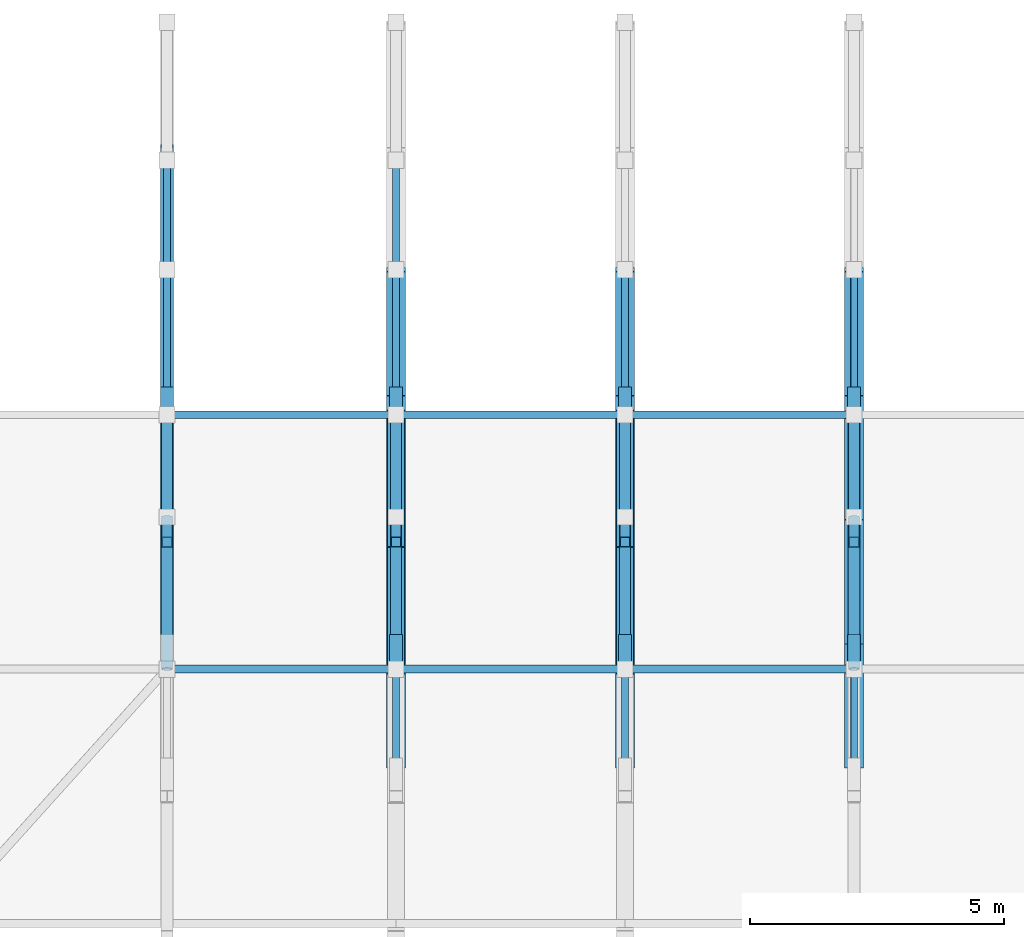
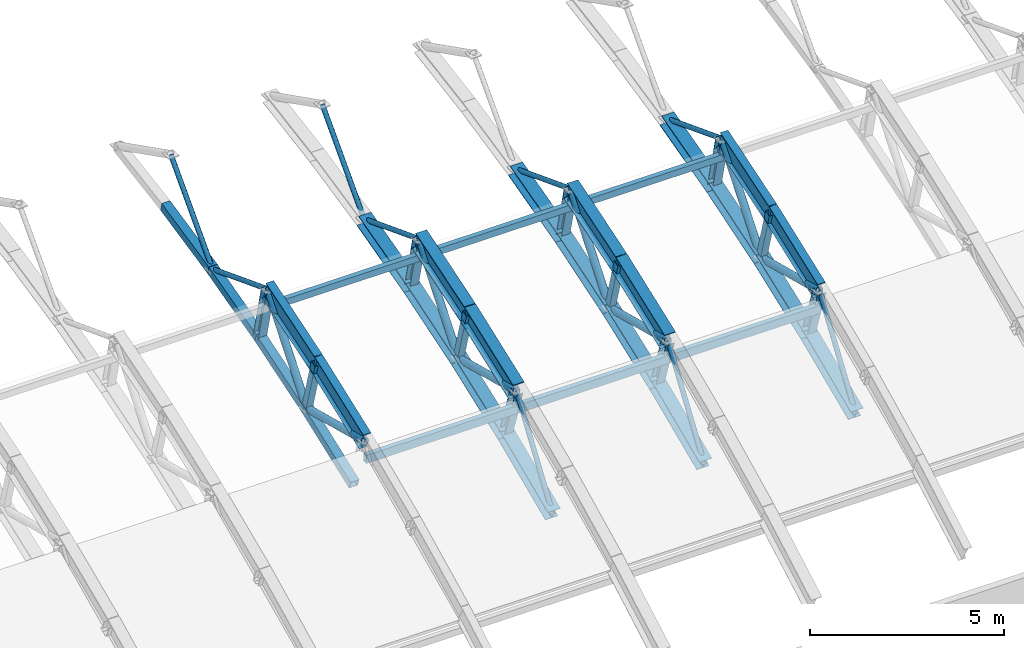
# One storey, part 40 of 103: 50 members, 8 beams.
"""IFC4 building model written with IfcOpenShell, lengths in metres."""

from ifc_helpers import new_model, si_unit, direction, frame, origin, origin_2d, place, context, subcontext, project, spatial, hollow_rectangle, hollow_circle, i_section, extrude, material, material_profile, profile_set, type_object, element, save


model = new_model("IFC4")

# Units and contexts
model_context = context("Model", 3, precision=1e-05, world=origin(), true_north=direction((0.0, 1.0)))
body_context = subcontext(model_context, "Body", "Model", "MODEL_VIEW")
ifc_project = project(units=[si_unit("LENGTHUNIT", "METRE"), si_unit("AREAUNIT", "SQUARE_METRE"), si_unit("VOLUMEUNIT", "CUBIC_METRE"), si_unit("PLANEANGLEUNIT", "RADIAN"), si_unit("MASSUNIT", "GRAM", prefix="KILO")], contexts=[model_context])

# Site, building, storey
site_placement = place(None, origin())
site = spatial("IfcSite", under=ifc_project, at=site_placement, CompositionType="ELEMENT")
building_placement = place(site_placement, origin())
building = spatial("IfcBuilding", under=site, at=building_placement, Name="Cazmaro Siding Exhibition Halls", CompositionType="ELEMENT")
storey_placement = place(building_placement, frame((0.0, 0.0, 16.5)))
storey = spatial("IfcBuildingStorey", under=building, at=storey_placement, Name="L03", CompositionType="ELEMENT", Elevation=16.5)

# Beams
ifc_material_1 = material(Name="Steel ASTM A992 Grade 50", Category="steel")
ifc_material_profile_1 = material_profile(ifc_material_1, i_section(OverallWidth=0.327880859375, OverallDepth=0.626953125, WebThickness=0.01708984375, FlangeThickness=0.028076171875, at=origin_2d()), Name="W24X146")
ifc_profile_set_1 = profile_set([ifc_material_profile_1], Name="Steel ASTM A992 Grade 50")
beam_type_1 = type_object("IfcBeamType", Name="AR-01", PredefinedType="USERDEFINED", material=ifc_profile_set_1)
beam_1_placement = place(storey_placement, frame((85.5, 74.0, 3.1220703125), z_axis=(0.0, 0.936509460339, 0.350642311615), x_axis=(-1.0, 0.0, 0.0)))
element("IfcBeam", 1, at=beam_1_placement, inside=storey, type_object=beam_type_1, Name="Space frame barrel vault arched rib AR-01 BM-0755", ObjectType="ARCHED RIB", PredefinedType="USERDEFINED", context=body_context, shape_type="SweptSolid", body=[
    extrude(i_section(OverallWidth=0.327880859375, OverallDepth=0.626953125, WebThickness=0.01708984375, FlangeThickness=0.028076171875, at=origin_2d()), origin(), (0.0, 0.0, 1.0), 2.66943359375),
])
beam_2_placement = place(storey_placement, frame((85.5, 76.5, 4.05810546875), z_axis=(0.0, 0.952769241759, 0.303695195811), x_axis=(-1.0, 0.0, 0.0)))
element("IfcBeam", 2, at=beam_2_placement, inside=storey, type_object=beam_type_1, Name="Space frame barrel vault arched rib AR-01 BM-0756", ObjectType="ARCHED RIB", PredefinedType="USERDEFINED", context=body_context, shape_type="SweptSolid", body=[
    extrude(i_section(OverallWidth=0.327880859375, OverallDepth=0.626953125, WebThickness=0.01708984375, FlangeThickness=0.028076171875, at=origin_2d()), origin(), (0.0, 0.0, 1.0), 2.6240234375),
])
ifc_material_2 = material(Name="Steel ASTM A992 Grade 50", Category="steel")
ifc_material_profile_2 = material_profile(ifc_material_2, i_section(OverallWidth=0.324951171875, OverallDepth=0.612060546875, WebThickness=0.012939453125, FlangeThickness=0.01904296875, at=origin_2d()), Name="W24X104")
ifc_profile_set_2 = profile_set([ifc_material_profile_2], Name="Steel ASTM A992 Grade 50")
beam_type_2 = type_object("IfcBeamType", Name="AR-02", PredefinedType="USERDEFINED", material=ifc_profile_set_2)
beam_3_placement = place(storey_placement, frame((90.0, 74.0, 3.1220703125), z_axis=(0.0, 0.936509460339, 0.350642311615), x_axis=(-1.0, 0.0, 0.0)))
element("IfcBeam", 3, at=beam_3_placement, inside=storey, type_object=beam_type_2, Name="Space frame barrel vault arched rib AR-02 BM-0779", ObjectType="ARCHED RIB", PredefinedType="USERDEFINED", context=body_context, shape_type="SweptSolid", body=[
    extrude(i_section(OverallWidth=0.324951171875, OverallDepth=0.612060546875, WebThickness=0.012939453125, FlangeThickness=0.01904296875, at=origin_2d()), origin(), (0.0, 0.0, 1.0), 2.66943359375),
])
beam_4_placement = place(storey_placement, frame((90.0, 76.5, 4.05810546875), z_axis=(0.0, 0.952769241759, 0.303695195811), x_axis=(-1.0, 0.0, 0.0)))
element("IfcBeam", 4, at=beam_4_placement, inside=storey, type_object=beam_type_2, Name="Space frame barrel vault arched rib AR-02 BM-0780", ObjectType="ARCHED RIB", PredefinedType="USERDEFINED", context=body_context, shape_type="SweptSolid", body=[
    extrude(i_section(OverallWidth=0.324951171875, OverallDepth=0.612060546875, WebThickness=0.012939453125, FlangeThickness=0.01904296875, at=origin_2d()), origin(), (0.0, 0.0, 1.0), 2.6240234375),
])
ifc_material_3 = material(Name="Steel ASTM A992 Grade 50", Category="steel")
ifc_material_profile_3 = material_profile(ifc_material_3, i_section(OverallWidth=0.22900390625, OverallDepth=0.612060546875, WebThickness=0.011962890625, FlangeThickness=0.02001953125, at=origin_2d()), Name="W24X84")
ifc_profile_set_3 = profile_set([ifc_material_profile_3], Name="Steel ASTM A992 Grade 50")
beam_type_3 = type_object("IfcBeamType", Name="AR-03", PredefinedType="USERDEFINED", material=ifc_profile_set_3)
beam_5_placement = place(storey_placement, frame((81.0, 74.0, 3.1220703125), z_axis=(0.0, 0.936509460339, 0.350642311615), x_axis=(-1.0, 0.0, 0.0)))
element("IfcBeam", 5, at=beam_5_placement, inside=storey, type_object=beam_type_3, Name="Space frame barrel vault arched rib AR-03 BM-0731", ObjectType="ARCHED RIB", PredefinedType="USERDEFINED", context=body_context, shape_type="SweptSolid", body=[
    extrude(i_section(OverallWidth=0.22900390625, OverallDepth=0.612060546875, WebThickness=0.011962890625, FlangeThickness=0.02001953125, at=origin_2d()), origin(), (0.0, 0.0, 1.0), 2.66943359375),
])
beam_6_placement = place(storey_placement, frame((81.0, 76.5, 4.05810546875), z_axis=(0.0, 0.952769241759, 0.303695195811), x_axis=(-1.0, 0.0, 0.0)))
element("IfcBeam", 6, at=beam_6_placement, inside=storey, type_object=beam_type_3, Name="Space frame barrel vault arched rib AR-03 BM-0732", ObjectType="ARCHED RIB", PredefinedType="USERDEFINED", context=body_context, shape_type="SweptSolid", body=[
    extrude(i_section(OverallWidth=0.22900390625, OverallDepth=0.612060546875, WebThickness=0.011962890625, FlangeThickness=0.02001953125, at=origin_2d()), origin(), (0.0, 0.0, 1.0), 2.6240234375),
])
beam_7_placement = place(storey_placement, frame((94.5, 74.0, 3.1220703125), z_axis=(0.0, 0.936509460339, 0.350642311615), x_axis=(-1.0, 0.0, 0.0)))
element("IfcBeam", 7, at=beam_7_placement, inside=storey, type_object=beam_type_3, Name="Space frame barrel vault arched rib AR-03 BM-0803", ObjectType="ARCHED RIB", PredefinedType="USERDEFINED", context=body_context, shape_type="SweptSolid", body=[
    extrude(i_section(OverallWidth=0.22900390625, OverallDepth=0.612060546875, WebThickness=0.011962890625, FlangeThickness=0.02001953125, at=origin_2d()), origin(), (0.0, 0.0, 1.0), 2.66943359375),
])
beam_8_placement = place(storey_placement, frame((94.5, 76.5, 4.05810546875), z_axis=(0.0, 0.952769241759, 0.303695195811), x_axis=(-1.0, 0.0, 0.0)))
element("IfcBeam", 8, at=beam_8_placement, inside=storey, type_object=beam_type_3, Name="Space frame barrel vault arched rib AR-03 BM-0804", ObjectType="ARCHED RIB", PredefinedType="USERDEFINED", context=body_context, shape_type="SweptSolid", body=[
    extrude(i_section(OverallWidth=0.22900390625, OverallDepth=0.612060546875, WebThickness=0.011962890625, FlangeThickness=0.02001953125, at=origin_2d()), origin(), (0.0, 0.0, 1.0), 2.6240234375),
])

# Members
ifc_material_4 = material(Name="Steel ASTM A500 Grade C", Category="steel")
ifc_material_profile_4 = material_profile(ifc_material_4, hollow_rectangle(XDim=0.152099609375, YDim=0.202880859375, WallThickness=0.011962890625, at=origin_2d()), Name="HSS8X6X1/2")
ifc_profile_set_4 = profile_set([ifc_material_profile_4], Name="Steel ASTM A500 Grade C")
member_type_1 = type_object("IfcMemberType", Name="RP-01", PredefinedType="PURLIN", material=ifc_profile_set_4)
for number, where, z_axis, x_axis, name in (
    (9, (81.0, 79.0, 4.31494140625), (1.0, 0.0, 0.0), (0.0, 1.0, 0.0), "Space frame barrel vault purlin RP-01 MEM-2066"),
    (10, (85.5, 79.0, 4.31494140625), (1.0, 0.0, 0.0), (0.0, 1.0, 0.0), "Space frame barrel vault purlin RP-01 MEM-2077"),
    (11, (90.0, 79.0, 4.31494140625), (1.0, 0.0, 0.0), (0.0, 1.0, 0.0), "Space frame barrel vault purlin RP-01 MEM-2088"),
):
    element("IfcMember", number, at=place(storey_placement, frame(where, z_axis=z_axis, x_axis=x_axis)), inside=storey, type_object=member_type_1, Name=name, PredefinedType="PURLIN", context=body_context, shape_type="SweptSolid", body=[
        extrude(hollow_rectangle(XDim=0.152099609375, YDim=0.202880859375, WallThickness=0.011962890625, at=origin_2d()), origin(), (0.0, 0.0, 1.0), 4.5),
    ])
ifc_material_5 = material(Name="Steel ASTM A500 Grade C", Category="steel")
ifc_material_profile_5 = material_profile(ifc_material_5, hollow_rectangle(XDim=0.152099609375, YDim=0.25390625, WallThickness=0.011962890625, at=origin_2d()), Name="HSS10X6X1/2")
ifc_profile_set_5 = profile_set([ifc_material_profile_5], Name="Steel ASTM A500 Grade C")
member_type_2 = type_object("IfcMemberType", Name="RP-04", PredefinedType="PURLIN", material=ifc_profile_set_5)
for number, where, z_axis, x_axis, name in (
    (12, (81.0, 74.0, 2.58203125), (1.0, 0.0, 0.0), (0.0, 1.0, 0.0), "Space frame barrel vault purlin RP-04 MEM-2065"),
    (13, (85.5, 74.0, 2.58203125), (1.0, 0.0, 0.0), (0.0, 1.0, 0.0), "Space frame barrel vault purlin RP-04 MEM-2076"),
    (14, (90.0, 74.0, 2.58203125), (1.0, 0.0, 0.0), (0.0, 1.0, 0.0), "Space frame barrel vault purlin RP-04 MEM-2087"),
):
    element("IfcMember", number, at=place(storey_placement, frame(where, z_axis=z_axis, x_axis=x_axis)), inside=storey, type_object=member_type_2, Name=name, PredefinedType="PURLIN", context=body_context, shape_type="SweptSolid", body=[
        extrude(hollow_rectangle(XDim=0.152099609375, YDim=0.25390625, WallThickness=0.011962890625, at=origin_2d()), origin(), (0.0, 0.0, 1.0), 4.5),
    ])
ifc_material_6 = material(Name="Steel ASTM A500 Grade C", Category="steel")
ifc_material_profile_6 = material_profile(ifc_material_6, hollow_rectangle(XDim=0.25390625, YDim=0.25390625, WallThickness=0.014892578125, at=origin_2d()), Name="HSS10X10X5/8")
ifc_profile_set_6 = profile_set([ifc_material_profile_6], Name="Steel ASTM A500 Grade C")
member_type_3 = type_object("IfcMemberType", Name="TC-01", PredefinedType="CHORD", material=ifc_profile_set_6)
member_1_placement = place(storey_placement, frame((81.0, 74.56103515625, 1.430908203125), z_axis=(0.0, 0.936588022869, 0.350432412053), x_axis=(-1.0, 0.0, 0.0)))
element("IfcMember", 15, at=member_1_placement, inside=storey, type_object=member_type_3, Name="Space frame barrel vault bottom chord TC-01 MEM-0529", PredefinedType="CHORD", context=body_context, shape_type="SweptSolid", body=[
    extrude(hollow_rectangle(XDim=0.25390625, YDim=0.25390625, WallThickness=0.014892578125, at=origin_2d()), origin(), (0.0, 0.0, 1.0), 2.594482421875),
])
member_2_placement = place(storey_placement, frame((81.0, 76.990966796875, 2.340087890625), z_axis=(0.0, 0.952692842525, 0.303934775573), x_axis=(-1.0, 0.0, 0.0)))
element("IfcMember", 16, at=member_2_placement, inside=storey, type_object=member_type_3, Name="Space frame barrel vault bottom chord TC-01 MEM-0531", PredefinedType="CHORD", context=body_context, shape_type="SweptSolid", body=[
    extrude(hollow_rectangle(XDim=0.25390625, YDim=0.25390625, WallThickness=0.014892578125, at=origin_2d()), origin(), (0.0, 0.0, 1.0), 2.549560546875),
])
member_3_placement = place(storey_placement, frame((81.0, 79.419921875, 3.114990234375), z_axis=(0.0, 0.966437683387, 0.256901156343), x_axis=(-1.0, 0.0, 0.0)))
element("IfcMember", 17, at=member_3_placement, inside=storey, type_object=member_type_3, Name="Space frame barrel vault bottom chord TC-01 MEM-0533", PredefinedType="CHORD", context=body_context, shape_type="SweptSolid", body=[
    extrude(hollow_rectangle(XDim=0.25390625, YDim=0.25390625, WallThickness=0.014892578125, at=origin_2d()), origin(), (0.0, 0.0, 1.0), 2.5146484375),
])
member_4_placement = place(storey_placement, frame((81.0, 81.85009765625, 3.760986328125), z_axis=(0.0, 0.977697351532, 0.210018782033), x_axis=(-1.0, 0.0, 0.0)))
element("IfcMember", 18, at=member_4_placement, inside=storey, type_object=member_type_3, Name="Space frame barrel vault bottom chord TC-01 MEM-0535", PredefinedType="CHORD", context=body_context, shape_type="SweptSolid", body=[
    extrude(hollow_rectangle(XDim=0.25390625, YDim=0.25390625, WallThickness=0.014892578125, at=origin_2d()), origin(), (0.0, 0.0, 1.0), 2.4853515625),
])
ifc_material_7 = material(Name="Steel ASTM A992 Grade 50", Category="steel")
ifc_material_profile_7 = material_profile(ifc_material_7, i_section(OverallWidth=0.37109375, OverallDepth=0.364013671875, WebThickness=0.012939453125, FlangeThickness=0.02197265625, at=origin_2d()), Name="W14X109")
ifc_profile_set_7 = profile_set([ifc_material_profile_7], Name="Steel ASTM A992 Grade 50")
member_type_4 = type_object("IfcMemberType", Name="TC-06", PredefinedType="CHORD", material=ifc_profile_set_7)
member_5_placement = place(storey_placement, frame((85.5, 72.131103515625, 0.37890625), z_axis=(0.0, 0.917689003843, 0.397299499403), x_axis=(-1.0, 0.0, 0.0)))
element("IfcMember", 19, at=member_5_placement, inside=storey, type_object=member_type_4, Name="Space frame barrel vault bottom chord TC-06 MEM-0598", PredefinedType="CHORD", context=body_context, shape_type="SweptSolid", body=[
    extrude(i_section(OverallWidth=0.37109375, OverallDepth=0.364013671875, WebThickness=0.012939453125, FlangeThickness=0.02197265625, at=origin_2d()), origin(), (0.0, 0.0, 1.0), 2.64794921875),
])
member_6_placement = place(storey_placement, frame((85.5, 74.56103515625, 1.430908203125), z_axis=(0.0, 0.936588022869, 0.350432412053), x_axis=(-1.0, 0.0, 0.0)))
element("IfcMember", 20, at=member_6_placement, inside=storey, type_object=member_type_4, Name="Space frame barrel vault bottom chord TC-06 MEM-0600", PredefinedType="CHORD", context=body_context, shape_type="SweptSolid", body=[
    extrude(i_section(OverallWidth=0.37109375, OverallDepth=0.364013671875, WebThickness=0.012939453125, FlangeThickness=0.02197265625, at=origin_2d()), origin(), (0.0, 0.0, 1.0), 2.594482421875),
])
member_7_placement = place(storey_placement, frame((85.5, 76.990966796875, 2.340087890625), z_axis=(0.0, 0.952692842525, 0.303934775573), x_axis=(-1.0, 0.0, 0.0)))
element("IfcMember", 21, at=member_7_placement, inside=storey, type_object=member_type_4, Name="Space frame barrel vault bottom chord TC-06 MEM-0602", PredefinedType="CHORD", context=body_context, shape_type="SweptSolid", body=[
    extrude(i_section(OverallWidth=0.37109375, OverallDepth=0.364013671875, WebThickness=0.012939453125, FlangeThickness=0.02197265625, at=origin_2d()), origin(), (0.0, 0.0, 1.0), 2.549560546875),
])
member_8_placement = place(storey_placement, frame((85.5, 79.419921875, 3.114990234375), z_axis=(0.0, 0.966437683387, 0.256901156343), x_axis=(-1.0, 0.0, 0.0)))
element("IfcMember", 22, at=member_8_placement, inside=storey, type_object=member_type_4, Name="Space frame barrel vault bottom chord TC-06 MEM-0604", PredefinedType="CHORD", context=body_context, shape_type="SweptSolid", body=[
    extrude(i_section(OverallWidth=0.37109375, OverallDepth=0.364013671875, WebThickness=0.012939453125, FlangeThickness=0.02197265625, at=origin_2d()), origin(), (0.0, 0.0, 1.0), 2.5146484375),
])
member_9_placement = place(storey_placement, frame((90.0, 72.131103515625, 0.37890625), z_axis=(0.0, 0.917689003843, 0.397299499403), x_axis=(-1.0, 0.0, 0.0)))
element("IfcMember", 23, at=member_9_placement, inside=storey, type_object=member_type_4, Name="Space frame barrel vault bottom chord TC-06 MEM-0669", PredefinedType="CHORD", context=body_context, shape_type="SweptSolid", body=[
    extrude(i_section(OverallWidth=0.37109375, OverallDepth=0.364013671875, WebThickness=0.012939453125, FlangeThickness=0.02197265625, at=origin_2d()), origin(), (0.0, 0.0, 1.0), 2.64794921875),
])
member_10_placement = place(storey_placement, frame((90.0, 74.56103515625, 1.430908203125), z_axis=(0.0, 0.936588022869, 0.350432412053), x_axis=(-1.0, 0.0, 0.0)))
element("IfcMember", 24, at=member_10_placement, inside=storey, type_object=member_type_4, Name="Space frame barrel vault bottom chord TC-06 MEM-0671", PredefinedType="CHORD", context=body_context, shape_type="SweptSolid", body=[
    extrude(i_section(OverallWidth=0.37109375, OverallDepth=0.364013671875, WebThickness=0.012939453125, FlangeThickness=0.02197265625, at=origin_2d()), origin(), (0.0, 0.0, 1.0), 2.594482421875),
])
member_11_placement = place(storey_placement, frame((90.0, 76.990966796875, 2.340087890625), z_axis=(0.0, 0.952692842525, 0.303934775573), x_axis=(-1.0, 0.0, 0.0)))
element("IfcMember", 25, at=member_11_placement, inside=storey, type_object=member_type_4, Name="Space frame barrel vault bottom chord TC-06 MEM-0673", PredefinedType="CHORD", context=body_context, shape_type="SweptSolid", body=[
    extrude(i_section(OverallWidth=0.37109375, OverallDepth=0.364013671875, WebThickness=0.012939453125, FlangeThickness=0.02197265625, at=origin_2d()), origin(), (0.0, 0.0, 1.0), 2.549560546875),
])
member_12_placement = place(storey_placement, frame((90.0, 79.419921875, 3.114990234375), z_axis=(0.0, 0.966437683387, 0.256901156343), x_axis=(-1.0, 0.0, 0.0)))
element("IfcMember", 26, at=member_12_placement, inside=storey, type_object=member_type_4, Name="Space frame barrel vault bottom chord TC-06 MEM-0675", PredefinedType="CHORD", context=body_context, shape_type="SweptSolid", body=[
    extrude(i_section(OverallWidth=0.37109375, OverallDepth=0.364013671875, WebThickness=0.012939453125, FlangeThickness=0.02197265625, at=origin_2d()), origin(), (0.0, 0.0, 1.0), 2.5146484375),
])
member_13_placement = place(storey_placement, frame((94.5, 72.131103515625, 0.37890625), z_axis=(0.0, 0.917689003843, 0.397299499403), x_axis=(-1.0, 0.0, 0.0)))
element("IfcMember", 27, at=member_13_placement, inside=storey, type_object=member_type_4, Name="Space frame barrel vault bottom chord TC-06 MEM-0740", PredefinedType="CHORD", context=body_context, shape_type="SweptSolid", body=[
    extrude(i_section(OverallWidth=0.37109375, OverallDepth=0.364013671875, WebThickness=0.012939453125, FlangeThickness=0.02197265625, at=origin_2d()), origin(), (0.0, 0.0, 1.0), 2.64794921875),
])
member_14_placement = place(storey_placement, frame((94.5, 74.56103515625, 1.430908203125), z_axis=(0.0, 0.936588022869, 0.350432412053), x_axis=(-1.0, 0.0, 0.0)))
element("IfcMember", 28, at=member_14_placement, inside=storey, type_object=member_type_4, Name="Space frame barrel vault bottom chord TC-06 MEM-0742", PredefinedType="CHORD", context=body_context, shape_type="SweptSolid", body=[
    extrude(i_section(OverallWidth=0.37109375, OverallDepth=0.364013671875, WebThickness=0.012939453125, FlangeThickness=0.02197265625, at=origin_2d()), origin(), (0.0, 0.0, 1.0), 2.594482421875),
])
member_15_placement = place(storey_placement, frame((94.5, 76.990966796875, 2.340087890625), z_axis=(0.0, 0.952692842525, 0.303934775573), x_axis=(-1.0, 0.0, 0.0)))
element("IfcMember", 29, at=member_15_placement, inside=storey, type_object=member_type_4, Name="Space frame barrel vault bottom chord TC-06 MEM-0744", PredefinedType="CHORD", context=body_context, shape_type="SweptSolid", body=[
    extrude(i_section(OverallWidth=0.37109375, OverallDepth=0.364013671875, WebThickness=0.012939453125, FlangeThickness=0.02197265625, at=origin_2d()), origin(), (0.0, 0.0, 1.0), 2.549560546875),
])
member_16_placement = place(storey_placement, frame((94.5, 79.419921875, 3.114990234375), z_axis=(0.0, 0.966437683387, 0.256901156343), x_axis=(-1.0, 0.0, 0.0)))
element("IfcMember", 30, at=member_16_placement, inside=storey, type_object=member_type_4, Name="Space frame barrel vault bottom chord TC-06 MEM-0746", PredefinedType="CHORD", context=body_context, shape_type="SweptSolid", body=[
    extrude(i_section(OverallWidth=0.37109375, OverallDepth=0.364013671875, WebThickness=0.012939453125, FlangeThickness=0.02197265625, at=origin_2d()), origin(), (0.0, 0.0, 1.0), 2.5146484375),
])
ifc_material_8 = material(Name="Steel ASTM A500 Grade C", Category="steel")
ifc_material_profile_8 = material_profile(ifc_material_8, hollow_rectangle(XDim=0.202880859375, YDim=0.202880859375, WallThickness=0.011962890625, at=origin_2d()), Name="HSS8X8X1/2")
ifc_profile_set_8 = profile_set([ifc_material_profile_8], Name="Steel ASTM A500 Grade C")
member_type_5 = type_object("IfcMemberType", Name="TP-01", PredefinedType="POST", material=ifc_profile_set_8)
for number, where, z_axis, x_axis, name in (
    (31, (81.0, 76.990966796875, 2.340087890625), (0.0, -0.274775266308, 0.961508477875), (1.0, 0.0, 0.0), "Space frame barrel vault post TP-01 MEM-0573"),
    (32, (85.5, 76.990966796875, 2.340087890625), (0.0, -0.274775266308, 0.961508477875), (1.0, 0.0, 0.0), "Space frame barrel vault post TP-01 MEM-0644"),
    (33, (90.0, 76.990966796875, 2.340087890625), (0.0, -0.274775266308, 0.961508477875), (1.0, 0.0, 0.0), "Space frame barrel vault post TP-01 MEM-0715"),
    (34, (94.5, 76.990966796875, 2.340087890625), (0.0, -0.274775266308, 0.961508477875), (1.0, 0.0, 0.0), "Space frame barrel vault post TP-01 MEM-0786"),
):
    element("IfcMember", number, at=place(storey_placement, frame(where, z_axis=z_axis, x_axis=x_axis)), inside=storey, type_object=member_type_5, Name=name, PredefinedType="POST", context=body_context, shape_type="SweptSolid", body=[
        extrude(hollow_rectangle(XDim=0.202880859375, YDim=0.202880859375, WallThickness=0.011962890625, at=origin_2d()), origin(), (0.0, 0.0, 1.0), 1.786865234375),
    ])
ifc_material_9 = material(Name="Steel ASTM A992 Grade 50", Category="steel")
ifc_material_profile_9 = material_profile(ifc_material_9, i_section(OverallWidth=0.25390625, OverallDepth=0.25390625, WebThickness=0.009033203125, FlangeThickness=0.013916015625, at=origin_2d()), Name="W10X49")
ifc_profile_set_9 = profile_set([ifc_material_profile_9], Name="Steel ASTM A992 Grade 50")
member_type_6 = type_object("IfcMemberType", Name="TP-04", PredefinedType="POST", material=ifc_profile_set_9)
member_17_placement = place(storey_placement, frame((81.0, 79.419921875, 3.114990234375), z_axis=(0.0, -0.234600533729, 0.972091862724), x_axis=(1.0, 0.0, 0.0)))
element("IfcMember", 35, at=member_17_placement, inside=storey, type_object=member_type_6, Name="Space frame barrel vault post TP-04 MEM-0574", PredefinedType="POST", context=body_context, shape_type="SweptSolid", body=[
    extrude(i_section(OverallWidth=0.25390625, OverallDepth=0.25390625, WebThickness=0.009033203125, FlangeThickness=0.013916015625, at=origin_2d()), origin(), (0.0, 0.0, 1.0), 1.7900390625),
])
member_18_placement = place(storey_placement, frame((85.5, 74.56103515625, 1.430908203125), z_axis=(0.0, -0.314870949103, 0.949134492794), x_axis=(1.0, 0.0, 0.0)))
element("IfcMember", 36, at=member_18_placement, inside=storey, type_object=member_type_6, Name="Space frame barrel vault post TP-04 MEM-0643", PredefinedType="POST", context=body_context, shape_type="SweptSolid", body=[
    extrude(i_section(OverallWidth=0.25390625, OverallDepth=0.25390625, WebThickness=0.009033203125, FlangeThickness=0.013916015625, at=origin_2d()), origin(), (0.0, 0.0, 1.0), 1.78173828125),
])
member_19_placement = place(storey_placement, frame((85.5, 79.419921875, 3.114990234375), z_axis=(0.0, -0.234600533729, 0.972091862724), x_axis=(1.0, 0.0, 0.0)))
element("IfcMember", 37, at=member_19_placement, inside=storey, type_object=member_type_6, Name="Space frame barrel vault post TP-04 MEM-0645", PredefinedType="POST", context=body_context, shape_type="SweptSolid", body=[
    extrude(i_section(OverallWidth=0.25390625, OverallDepth=0.25390625, WebThickness=0.009033203125, FlangeThickness=0.013916015625, at=origin_2d()), origin(), (0.0, 0.0, 1.0), 1.7900390625),
])
member_20_placement = place(storey_placement, frame((90.0, 74.56103515625, 1.430908203125), z_axis=(0.0, -0.314870949103, 0.949134492794), x_axis=(1.0, 0.0, 0.0)))
element("IfcMember", 38, at=member_20_placement, inside=storey, type_object=member_type_6, Name="Space frame barrel vault post TP-04 MEM-0714", PredefinedType="POST", context=body_context, shape_type="SweptSolid", body=[
    extrude(i_section(OverallWidth=0.25390625, OverallDepth=0.25390625, WebThickness=0.009033203125, FlangeThickness=0.013916015625, at=origin_2d()), origin(), (0.0, 0.0, 1.0), 1.78173828125),
])
member_21_placement = place(storey_placement, frame((90.0, 79.419921875, 3.114990234375), z_axis=(0.0, -0.234600533729, 0.972091862724), x_axis=(1.0, 0.0, 0.0)))
element("IfcMember", 39, at=member_21_placement, inside=storey, type_object=member_type_6, Name="Space frame barrel vault post TP-04 MEM-0716", PredefinedType="POST", context=body_context, shape_type="SweptSolid", body=[
    extrude(i_section(OverallWidth=0.25390625, OverallDepth=0.25390625, WebThickness=0.009033203125, FlangeThickness=0.013916015625, at=origin_2d()), origin(), (0.0, 0.0, 1.0), 1.7900390625),
])
member_22_placement = place(storey_placement, frame((94.5, 74.56103515625, 1.430908203125), z_axis=(0.0, -0.314870949103, 0.949134492794), x_axis=(1.0, 0.0, 0.0)))
element("IfcMember", 40, at=member_22_placement, inside=storey, type_object=member_type_6, Name="Space frame barrel vault post TP-04 MEM-0785", PredefinedType="POST", context=body_context, shape_type="SweptSolid", body=[
    extrude(i_section(OverallWidth=0.25390625, OverallDepth=0.25390625, WebThickness=0.009033203125, FlangeThickness=0.013916015625, at=origin_2d()), origin(), (0.0, 0.0, 1.0), 1.78173828125),
])
member_23_placement = place(storey_placement, frame((94.5, 79.419921875, 3.114990234375), z_axis=(0.0, -0.234600533729, 0.972091862724), x_axis=(1.0, 0.0, 0.0)))
element("IfcMember", 41, at=member_23_placement, inside=storey, type_object=member_type_6, Name="Space frame barrel vault post TP-04 MEM-0787", PredefinedType="POST", context=body_context, shape_type="SweptSolid", body=[
    extrude(i_section(OverallWidth=0.25390625, OverallDepth=0.25390625, WebThickness=0.009033203125, FlangeThickness=0.013916015625, at=origin_2d()), origin(), (0.0, 0.0, 1.0), 1.7900390625),
])
ifc_material_10 = material(Name="Steel ASTM A500 Grade C", Category="steel")
ifc_material_profile_10 = material_profile(ifc_material_10, hollow_circle(Radius=0.109619140625, WallThickness=0.012939453125, at=origin_2d()), Name="PIPE8XS")
ifc_profile_set_10 = profile_set([ifc_material_profile_10], Name="Steel ASTM A500 Grade C")
member_type_7 = type_object("IfcMemberType", Name="WB-01", PredefinedType="BRACE", material=ifc_profile_set_10)
member_24_placement = place(storey_placement, frame((81.0, 74.0, 3.1220703125), z_axis=(0.0, 0.967480432857, -0.252945867802), x_axis=(-1.0, 0.0, 0.0)))
element("IfcMember", 42, at=member_24_placement, inside=storey, type_object=member_type_7, Name="Space frame barrel vault diagonal WB-01 MEM-0530", PredefinedType="BRACE", context=body_context, shape_type="SweptSolid", body=[
    extrude(hollow_circle(Radius=0.109619140625, WallThickness=0.012939453125, at=origin_2d()), origin(), (0.0, 0.0, 1.0), 3.091552734375),
])
member_25_placement = place(storey_placement, frame((81.0, 76.990966796875, 2.340087890625), z_axis=(0.0, 0.624149162907, 0.781305204412), x_axis=(-1.0, 0.0, 0.0)))
element("IfcMember", 43, at=member_25_placement, inside=storey, type_object=member_type_7, Name="Space frame barrel vault diagonal WB-01 MEM-0532", PredefinedType="BRACE", context=body_context, shape_type="SweptSolid", body=[
    extrude(hollow_circle(Radius=0.109619140625, WallThickness=0.012939453125, at=origin_2d()), origin(), (0.0, 0.0, 1.0), 3.21875),
])
member_26_placement = place(storey_placement, frame((85.5, 74.0, 3.1220703125), z_axis=(0.0, 0.967480432857, -0.252945867802), x_axis=(-1.0, 0.0, 0.0)))
element("IfcMember", 44, at=member_26_placement, inside=storey, type_object=member_type_7, Name="Space frame barrel vault diagonal WB-01 MEM-0601", PredefinedType="BRACE", context=body_context, shape_type="SweptSolid", body=[
    extrude(hollow_circle(Radius=0.109619140625, WallThickness=0.012939453125, at=origin_2d()), origin(), (0.0, 0.0, 1.0), 3.091552734375),
])
member_27_placement = place(storey_placement, frame((85.5, 76.990966796875, 2.340087890625), z_axis=(0.0, 0.624149162907, 0.781305204412), x_axis=(-1.0, 0.0, 0.0)))
element("IfcMember", 45, at=member_27_placement, inside=storey, type_object=member_type_7, Name="Space frame barrel vault diagonal WB-01 MEM-0603", PredefinedType="BRACE", context=body_context, shape_type="SweptSolid", body=[
    extrude(hollow_circle(Radius=0.109619140625, WallThickness=0.012939453125, at=origin_2d()), origin(), (0.0, 0.0, 1.0), 3.21875),
])
member_28_placement = place(storey_placement, frame((90.0, 74.0, 3.1220703125), z_axis=(0.0, 0.967480432857, -0.252945867802), x_axis=(-1.0, 0.0, 0.0)))
element("IfcMember", 46, at=member_28_placement, inside=storey, type_object=member_type_7, Name="Space frame barrel vault diagonal WB-01 MEM-0672", PredefinedType="BRACE", context=body_context, shape_type="SweptSolid", body=[
    extrude(hollow_circle(Radius=0.109619140625, WallThickness=0.012939453125, at=origin_2d()), origin(), (0.0, 0.0, 1.0), 3.091552734375),
])
member_29_placement = place(storey_placement, frame((90.0, 76.990966796875, 2.340087890625), z_axis=(0.0, 0.624149162907, 0.781305204412), x_axis=(-1.0, 0.0, 0.0)))
element("IfcMember", 47, at=member_29_placement, inside=storey, type_object=member_type_7, Name="Space frame barrel vault diagonal WB-01 MEM-0674", PredefinedType="BRACE", context=body_context, shape_type="SweptSolid", body=[
    extrude(hollow_circle(Radius=0.109619140625, WallThickness=0.012939453125, at=origin_2d()), origin(), (0.0, 0.0, 1.0), 3.21875),
])
member_30_placement = place(storey_placement, frame((94.5, 74.0, 3.1220703125), z_axis=(0.0, 0.967480432857, -0.252945867802), x_axis=(-1.0, 0.0, 0.0)))
element("IfcMember", 48, at=member_30_placement, inside=storey, type_object=member_type_7, Name="Space frame barrel vault diagonal WB-01 MEM-0743", PredefinedType="BRACE", context=body_context, shape_type="SweptSolid", body=[
    extrude(hollow_circle(Radius=0.109619140625, WallThickness=0.012939453125, at=origin_2d()), origin(), (0.0, 0.0, 1.0), 3.091552734375),
])
member_31_placement = place(storey_placement, frame((94.5, 76.990966796875, 2.340087890625), z_axis=(0.0, 0.624149162907, 0.781305204412), x_axis=(-1.0, 0.0, 0.0)))
element("IfcMember", 49, at=member_31_placement, inside=storey, type_object=member_type_7, Name="Space frame barrel vault diagonal WB-01 MEM-0745", PredefinedType="BRACE", context=body_context, shape_type="SweptSolid", body=[
    extrude(hollow_circle(Radius=0.109619140625, WallThickness=0.012939453125, at=origin_2d()), origin(), (0.0, 0.0, 1.0), 3.21875),
])
ifc_material_11 = material(Name="Steel ASTM A500 Grade C", Category="steel")
ifc_material_profile_11 = material_profile(ifc_material_11, hollow_circle(Radius=0.070556640625, WallThickness=0.01904296875, at=origin_2d()), Name="PIPE5XXS")
ifc_profile_set_11 = profile_set([ifc_material_profile_11], Name="Steel ASTM A500 Grade C")
member_type_8 = type_object("IfcMemberType", Name="WB-07", PredefinedType="BRACE", material=ifc_profile_set_11)
member_32_placement = place(storey_placement, frame((81.0, 79.0, 4.85498046875), z_axis=(0.0, 0.933586546586, -0.358352005761), x_axis=(-1.0, 0.0, 0.0)))
element("IfcMember", 50, at=member_32_placement, inside=storey, type_object=member_type_8, Name="Space frame barrel vault diagonal WB-07 MEM-0534", PredefinedType="BRACE", context=body_context, shape_type="SweptSolid", body=[
    extrude(hollow_circle(Radius=0.070556640625, WallThickness=0.01904296875, at=origin_2d()), origin(), (0.0, 0.0, 1.0), 3.052734375),
])
member_33_placement = place(storey_placement, frame((81.0, 81.85009765625, 3.760986328125), z_axis=(0.0, 0.683517575744, 0.729934054315), x_axis=(-1.0, 0.0, 0.0)))
element("IfcMember", 51, at=member_33_placement, inside=storey, type_object=member_type_8, Name="Space frame barrel vault diagonal WB-07 MEM-0536", PredefinedType="BRACE", context=body_context, shape_type="SweptSolid", body=[
    extrude(hollow_circle(Radius=0.070556640625, WallThickness=0.01904296875, at=origin_2d()), origin(), (0.0, 0.0, 1.0), 3.145263671875),
])
member_34_placement = place(storey_placement, frame((85.5, 72.131103515625, 0.37890625), z_axis=(0.0, 0.563040090795, 0.826429583302), x_axis=(-1.0, 0.0, 0.0)))
element("IfcMember", 52, at=member_34_placement, inside=storey, type_object=member_type_8, Name="Space frame barrel vault diagonal WB-07 MEM-0599", PredefinedType="BRACE", context=body_context, shape_type="SweptSolid", body=[
    extrude(hollow_circle(Radius=0.070556640625, WallThickness=0.01904296875, at=origin_2d()), origin(), (0.0, 0.0, 1.0), 3.3193359375),
])
member_35_placement = place(storey_placement, frame((85.5, 79.0, 4.85498046875), z_axis=(0.0, 0.933586546586, -0.358352005761), x_axis=(-1.0, 0.0, 0.0)))
element("IfcMember", 53, at=member_35_placement, inside=storey, type_object=member_type_8, Name="Space frame barrel vault diagonal WB-07 MEM-0605", PredefinedType="BRACE", context=body_context, shape_type="SweptSolid", body=[
    extrude(hollow_circle(Radius=0.070556640625, WallThickness=0.01904296875, at=origin_2d()), origin(), (0.0, 0.0, 1.0), 3.052734375),
])
member_36_placement = place(storey_placement, frame((85.5, 81.85009765625, 3.760986328125), z_axis=(0.0, 0.683517575744, 0.729934054315), x_axis=(-1.0, 0.0, 0.0)))
element("IfcMember", 54, at=member_36_placement, inside=storey, type_object=member_type_8, Name="Space frame barrel vault diagonal WB-07 MEM-0607", PredefinedType="BRACE", context=body_context, shape_type="SweptSolid", body=[
    extrude(hollow_circle(Radius=0.070556640625, WallThickness=0.01904296875, at=origin_2d()), origin(), (0.0, 0.0, 1.0), 3.145263671875),
])
member_37_placement = place(storey_placement, frame((90.0, 72.131103515625, 0.37890625), z_axis=(0.0, 0.563040090795, 0.826429583302), x_axis=(-1.0, 0.0, 0.0)))
element("IfcMember", 55, at=member_37_placement, inside=storey, type_object=member_type_8, Name="Space frame barrel vault diagonal WB-07 MEM-0670", PredefinedType="BRACE", context=body_context, shape_type="SweptSolid", body=[
    extrude(hollow_circle(Radius=0.070556640625, WallThickness=0.01904296875, at=origin_2d()), origin(), (0.0, 0.0, 1.0), 3.3193359375),
])
member_38_placement = place(storey_placement, frame((90.0, 79.0, 4.85498046875), z_axis=(0.0, 0.933586546586, -0.358352005761), x_axis=(-1.0, 0.0, 0.0)))
element("IfcMember", 56, at=member_38_placement, inside=storey, type_object=member_type_8, Name="Space frame barrel vault diagonal WB-07 MEM-0676", PredefinedType="BRACE", context=body_context, shape_type="SweptSolid", body=[
    extrude(hollow_circle(Radius=0.070556640625, WallThickness=0.01904296875, at=origin_2d()), origin(), (0.0, 0.0, 1.0), 3.052734375),
])
member_39_placement = place(storey_placement, frame((94.5, 72.131103515625, 0.37890625), z_axis=(0.0, 0.563040090795, 0.826429583302), x_axis=(-1.0, 0.0, 0.0)))
element("IfcMember", 57, at=member_39_placement, inside=storey, type_object=member_type_8, Name="Space frame barrel vault diagonal WB-07 MEM-0741", PredefinedType="BRACE", context=body_context, shape_type="SweptSolid", body=[
    extrude(hollow_circle(Radius=0.070556640625, WallThickness=0.01904296875, at=origin_2d()), origin(), (0.0, 0.0, 1.0), 3.3193359375),
])
member_40_placement = place(storey_placement, frame((94.5, 79.0, 4.85498046875), z_axis=(0.0, 0.933586546586, -0.358352005761), x_axis=(-1.0, 0.0, 0.0)))
element("IfcMember", 58, at=member_40_placement, inside=storey, type_object=member_type_8, Name="Space frame barrel vault diagonal WB-07 MEM-0747", PredefinedType="BRACE", context=body_context, shape_type="SweptSolid", body=[
    extrude(hollow_circle(Radius=0.070556640625, WallThickness=0.01904296875, at=origin_2d()), origin(), (0.0, 0.0, 1.0), 3.052734375),
])

save(model, "model.ifc")
